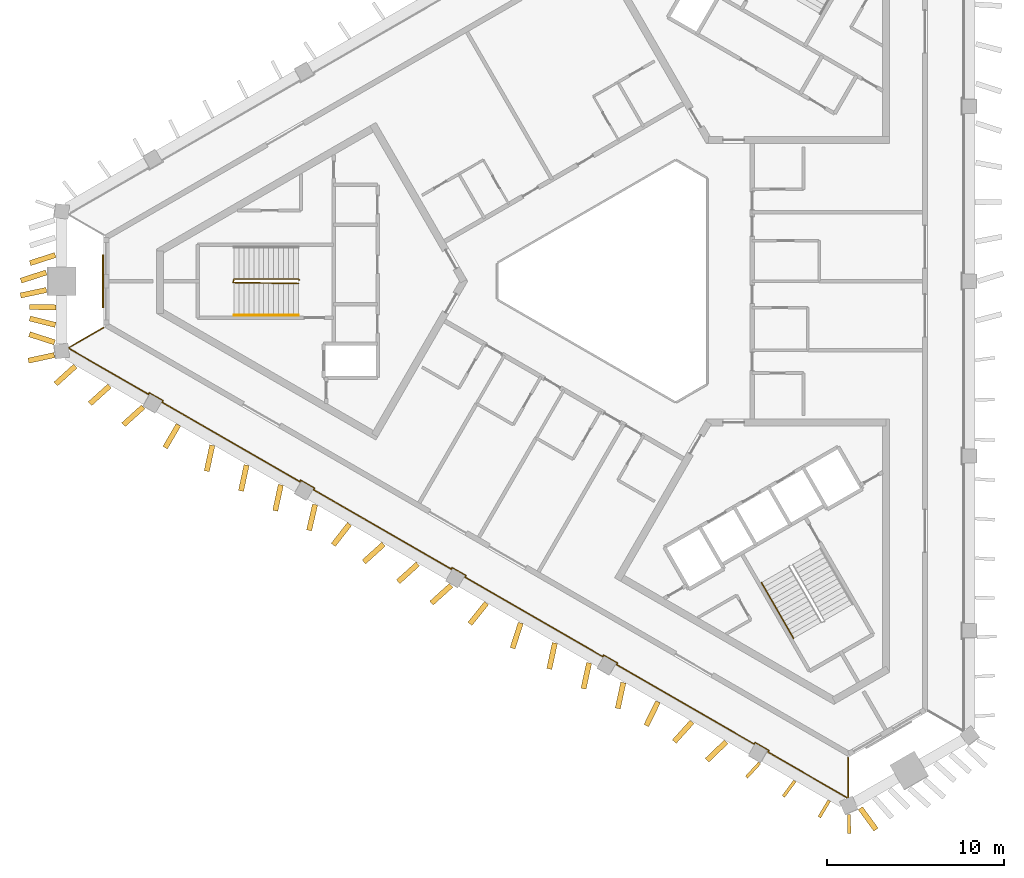
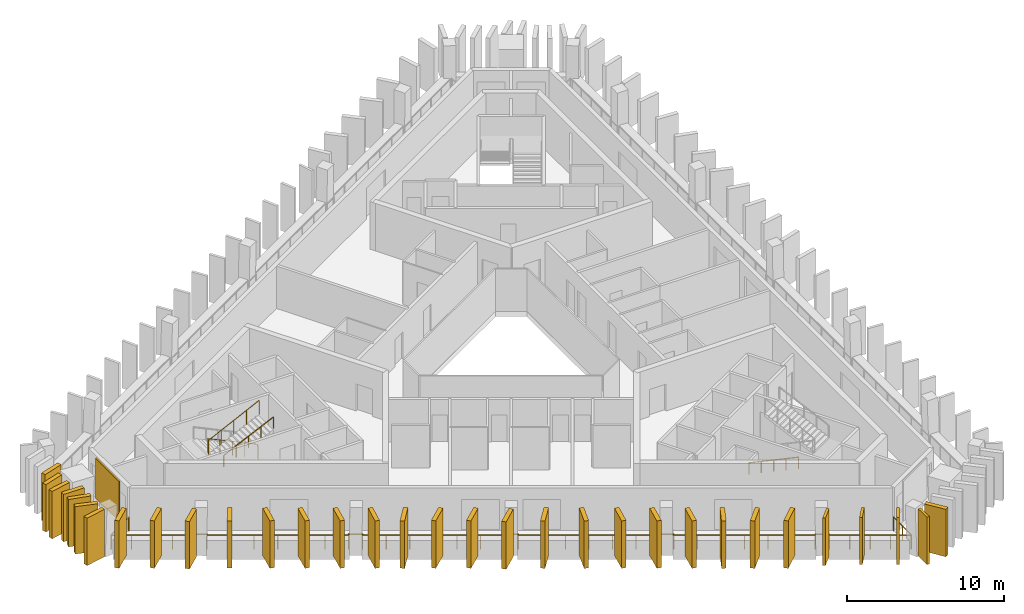
# One storey, part 7 of 9: 32 shading devices, 4 railings, 1 covering.
"""IFC4 building model written with IfcOpenShell, lengths in metres."""

import ifcopenshell
import ifcopenshell.guid

model = None  # the IFC model being written
_history = None  # IfcOwnerHistory: only IFC2X3 demands one
_inside = {}  # id of a spatial element -> (the spatial element, [elements in it])
_under = {}  # id of a project, library or spatial element -> (it, [spatial elements below it])
_declared = {}  # id of a project -> (the project, [libraries it declares])
_typed = {}  # id of a type object -> (the type object, [elements of that type])
_made_of = {}  # id of a material, layer set ... -> (it, [elements and type objects made of it])


def new_model(schema):
    """Start an empty IFC model of exactly this schema.

    Asked for "IFC4X3", IfcOpenShell would pick the latest addendum, in which some entities
    have other attributes; the version numbers below select the first issue.
    IFC2X3 requires an IfcOwnerHistory on every rooted entity: one is made here for all.
    """
    global model, _history
    if schema == "IFC4X3":
        model = ifcopenshell.file(schema_version=(4, 3, 0, 0))
    else:
        model = ifcopenshell.file(schema=schema)
    _inside.clear()
    _under.clear()
    _declared.clear()
    _typed.clear()
    _made_of.clear()
    _history = None
    if model.schema == "IFC2X3":
        org = make("IfcOrganization", Name="unknown")
        user = make(
            "IfcPersonAndOrganization",
            ThePerson=make("IfcPerson", FamilyName="unknown"),
            TheOrganization=org,
        )
        app = make(
            "IfcApplication",
            ApplicationDeveloper=org,
            Version="unknown",
            ApplicationFullName="unknown",
            ApplicationIdentifier="unknown",
        )
        _history = make(
            "IfcOwnerHistory",
            OwningUser=user,
            OwningApplication=app,
            ChangeAction="ADDED",
            CreationDate=0,
        )
    return model


def make(cls, **values):
    """One entity of the class cls with the attributes given. An attribute that is None is left unset."""
    return model.create_entity(
        cls, **{name: value for name, value in values.items() if value is not None}
    )


def rooted(cls, **values):
    """An entity with a GlobalId (a new one), such as an element, a storey or a relation."""
    return make(cls, GlobalId=ifcopenshell.guid.new(), OwnerHistory=_history, **values)


def si_unit(unit_type, name, prefix=None):
    """IfcSIUnit, for example si_unit("LENGTHUNIT", "METRE", prefix="MILLI")."""
    return make("IfcSIUnit", UnitType=unit_type, Prefix=prefix, Name=name)


def assignment(units):
    """IfcUnitAssignment: the units of a project."""
    return None if units is None else make("IfcUnitAssignment", Units=units)


def point(xyz):
    """IfcCartesianPoint."""
    return None if xyz is None else make("IfcCartesianPoint", Coordinates=xyz)


def direction(xyz):
    """IfcDirection."""
    return None if xyz is None else make("IfcDirection", DirectionRatios=xyz)


def frame(location, z_axis=None, x_axis=None):
    """IfcAxis2Placement3D, a coordinate frame: its origin and axes. An axis left out is left unset."""
    return make(
        "IfcAxis2Placement3D",
        Location=point(location),
        Axis=direction(z_axis),
        RefDirection=direction(x_axis),
    )


def frame_2d(location, x_axis=None):
    """IfcAxis2Placement2D, a coordinate frame in the plane: its origin and x axis."""
    return make(
        "IfcAxis2Placement2D", Location=point(location), RefDirection=direction(x_axis)
    )


def origin():
    """The frame at (0, 0, 0) with its axes left unset."""
    return frame((0.0, 0.0, 0.0))


def origin_2d():
    """The frame at (0, 0) in the plane with its x axis left unset."""
    return frame_2d((0.0, 0.0))


def place(relative_to, where):
    """IfcLocalPlacement: puts the frame where relative to a parent placement (None: the world)."""
    return make(
        "IfcLocalPlacement", PlacementRelTo=relative_to, RelativePlacement=where
    )


def context(
    kind, dimensions, precision=None, world=None, true_north=None, identifier=None
):
    """IfcGeometricRepresentationContext, for example the 3D "Model" context."""
    return make(
        "IfcGeometricRepresentationContext",
        ContextIdentifier=identifier,
        ContextType=kind,
        CoordinateSpaceDimension=dimensions,
        Precision=precision,
        WorldCoordinateSystem=world,
        TrueNorth=true_north,
    )


def subcontext(parent, identifier, kind, view, scale=None):
    """IfcGeometricRepresentationSubContext, for example "Body" below "Model"."""
    return make(
        "IfcGeometricRepresentationSubContext",
        ContextIdentifier=identifier,
        ContextType=kind,
        ParentContext=parent,
        TargetScale=scale,
        TargetView=view,
    )


def project(units=None, contexts=None):
    """IfcProject with its units and contexts."""
    return rooted(
        "IfcProject",
        Name="project",
        RepresentationContexts=contexts,
        UnitsInContext=assignment(units),
    )


def spatial(cls, under=None, at=None, **own):
    """A site, building, storey or space (cls), placed at a placement, below another one or the project."""
    s = rooted(cls, ObjectPlacement=at, **own)
    if under is not None:
        _under.setdefault(under.id(), (under, []))[1].append(s)
    return s


def profile(cls, at=None, kind="AREA", **sizes):
    """A parametric profile (cls). Its sizes go by their IFC names, for example OverallWidth=200.0."""
    return make(cls, ProfileType=kind, Position=at, **sizes)


def rectangle(**sizes):
    """IfcRectangleProfileDef."""
    return profile("IfcRectangleProfileDef", **sizes)


def circle(**sizes):
    """IfcCircleProfileDef."""
    return profile("IfcCircleProfileDef", **sizes)


def extrude(swept, where, along, depth):
    """IfcExtrudedAreaSolid: the profile swept, set in the frame where, extruded along a direction by depth."""
    return make(
        "IfcExtrudedAreaSolid",
        SweptArea=swept,
        Position=where,
        ExtrudedDirection=direction(along),
        Depth=depth,
    )


def shape(context_of_items, identifier, shape_type, items):
    """IfcShapeRepresentation: the items that make up one representation, for example the "Body"."""
    return make(
        "IfcShapeRepresentation",
        ContextOfItems=context_of_items,
        RepresentationIdentifier=identifier,
        RepresentationType=shape_type,
        Items=items,
    )


def material(Name=None, Category=None):
    """IfcMaterial."""
    return make("IfcMaterial", Name=Name, Category=Category)


def layer(
    of_material, thickness, ventilated=None, Name=None, Category=None, Priority=None
):
    """IfcMaterialLayer: one layer of a wall or slab, of a material (None: an air gap)."""
    return make(
        "IfcMaterialLayer",
        Material=of_material,
        LayerThickness=thickness,
        IsVentilated=ventilated,
        Name=Name,
        Category=Category,
        Priority=Priority,
    )


def layer_set(layers, Name=None):
    """IfcMaterialLayerSet."""
    return make("IfcMaterialLayerSet", MaterialLayers=layers, LayerSetName=Name)


def made_of(thing, what):
    """Note that an element or type object is made of a material, layer set ...; save() writes the relation."""
    if what is not None:
        _made_of.setdefault(what.id(), (what, []))[1].append(thing)
    return thing


def type_object(cls, material=None, **own):
    """A type object (cls), such as IfcWallType, which elements share."""
    return made_of(rooted(cls, **own), material)


def element(
    cls,
    number,
    at=None,
    inside=None,
    cuts=None,
    type_object=None,
    material=None,
    context=None,
    identifier="Body",
    shape_type=None,
    held_by="IfcProductDefinitionShape",
    body=None,
    shapes=None,
    **own,
):
    """One element of the class cls, such as IfcWall. Its Tag is "e" and its number.

    at: its placement. inside: the storey or other place that contains it. cuts: it is an
    opening in that element (IfcRelVoidsElement). A single representation is given by context,
    identifier, shape_type and body (its items); several are given by shapes. held_by: the class
    of the entity that holds the representations. save() writes the other relations.
    """
    e = rooted(cls, Tag="e%d" % number, ObjectPlacement=at, **own)
    if body is not None:
        shapes = [shape(context, identifier, shape_type, body)]
    if shapes is not None:
        e.Representation = make(held_by, Representations=shapes)
    if inside is not None:
        _inside.setdefault(inside.id(), (inside, []))[1].append(e)
    if cuts is not None:
        rooted(
            "IfcRelVoidsElement", RelatingBuildingElement=cuts, RelatedOpeningElement=e
        )
    if type_object is not None:
        _typed.setdefault(type_object.id(), (type_object, []))[1].append(e)
    return made_of(e, material)


def aggregate(whole, parts):
    """IfcRelAggregates: a whole, such as a stair, and the parts it consists of."""
    return rooted("IfcRelAggregates", RelatingObject=whole, RelatedObjects=parts)


def save(model, path):
    """Write the relations noted so far, then the file.

    IfcRelAggregates (storeys below a building ...), IfcRelContainedInSpatialStructure (elements
    in a storey), IfcRelDefinesByType, IfcRelAssociatesMaterial and IfcRelDeclares: one each for
    every whole, place, type object, material and project.
    """
    for whole, parts in _under.values():
        aggregate(whole, parts)
    for where, things in _inside.values():
        rooted(
            "IfcRelContainedInSpatialStructure",
            RelatedElements=things,
            RelatingStructure=where,
        )
    for kind, things in _typed.values():
        rooted("IfcRelDefinesByType", RelatedObjects=things, RelatingType=kind)
    for what, things in _made_of.values():
        rooted("IfcRelAssociatesMaterial", RelatedObjects=things, RelatingMaterial=what)
    for by, libraries in _declared.values():
        rooted("IfcRelDeclares", RelatingContext=by, RelatedDefinitions=libraries)
    model.write(path)


model = new_model("IFC4")

# Units and contexts
model_context = context("Model", 3, precision=1e-05, world=origin(), true_north=direction((0.0, 1.0)))
body_context = subcontext(model_context, "Body", "Model", "MODEL_VIEW")
ifc_project = project(units=[si_unit("LENGTHUNIT", "METRE"), si_unit("AREAUNIT", "SQUARE_METRE"), si_unit("VOLUMEUNIT", "CUBIC_METRE"), si_unit("PLANEANGLEUNIT", "RADIAN"), si_unit("MASSUNIT", "GRAM", prefix="KILO")], contexts=[model_context])

# Site, building, storey
site_placement = place(None, origin())
site = spatial("IfcSite", under=ifc_project, at=site_placement, CompositionType="ELEMENT")
building_placement = place(site_placement, origin())
building = spatial("IfcBuilding", under=site, at=building_placement, Name="Jabali Bay Hotel Tower and Convention Centre", CompositionType="ELEMENT")
storey_placement = place(building_placement, frame((0.0, 0.0, 259.0)))
storey = spatial("IfcBuildingStorey", under=building, at=storey_placement, Name="L63", CompositionType="ELEMENT", Elevation=259.0)

# Railing
ifc_material_1 = material(Name="Glass", Category="glass")
railing_type_1 = type_object("IfcRailingType", Name="Loggia glass guard 1100", PredefinedType="BALUSTRADE", material=ifc_material_1)
railing_1_placement = place(storey_placement, frame((87.527099609375, 53.048828125, 0.0)))
element("IfcRailing", 1, at=railing_1_placement, inside=storey, type_object=railing_type_1, Name="Loggia glass guard L63", PredefinedType="BALUSTRADE", context=body_context, shape_type="SweptSolid", body=[
    extrude(circle(Radius=0.02490234375, at=origin_2d()), frame((0.0, 0.0, 1.0751953125), z_axis=(0.0, -1.0, 0.0), x_axis=(0.991444861374, 0.0, 0.13052619222)), (0.0, 0.0, 1.0), 2.27490234375),
    extrude(circle(Radius=0.02490234375, at=origin_2d()), frame((0.0, -2.27490234375, 1.0751953125), z_axis=(-0.922495174035, -0.386008618922, 0.0), x_axis=(0.382706261677, -0.914603099939, 0.13052619222)), (0.0, 0.0, 1.0), 0.037353515625),
    extrude(circle(Radius=0.02490234375, at=origin_2d()), frame((-0.034423828125, -2.289306640625, 1.0751953125), z_axis=(-0.866036069923, 0.499981525251, 0.0), x_axis=(-0.495704113992, -0.858627011289, 0.13052619222)), (0.0, 0.0, 1.0), 5.193603515625),
    extrude(circle(Radius=0.02490234375, at=origin_2d()), frame((-4.5322265625, 0.307373046875, 1.0751953125), z_axis=(0.500074377092, 0.865982457891, 0.0), x_axis=(-0.858573857916, 0.495796171473, 0.13052619222)), (0.0, 0.0, 1.0), 0.10009765625),
    extrude(circle(Radius=0.02490234375, at=origin_2d()), frame((-4.482177734375, 0.39404296875, 1.0751953125), z_axis=(-0.866081705922, 0.499902469156, 0.0), x_axis=(-0.495625734232, -0.858672256866, 0.13052619222)), (0.0, 0.0, 1.0), 0.900146484375),
    extrude(circle(Radius=0.02490234375, at=origin_2d()), frame((-5.26171875, 0.843994140625, 1.0751953125), z_axis=(-0.4982416694, -0.867038199201, 0.0), x_axis=(0.859620567213, -0.493979142849, 0.13052619222)), (0.0, 0.0, 1.0), 0.099853515625),
    extrude(circle(Radius=0.02490234375, at=origin_2d()), frame((-5.3115234375, 0.75732421875, 1.0751953125), z_axis=(-0.866023828167, 0.500002729039, 0.0), x_axis=(-0.495725136379, -0.858614874264, 0.13052619222)), (0.0, 0.0, 1.0), 8.998046875),
    extrude(circle(Radius=0.02490234375, at=origin_2d()), frame((-13.10400390625, 5.25634765625, 1.0751953125), z_axis=(0.500074377092, 0.865982457891, 0.0), x_axis=(-0.858573857916, 0.495796171473, 0.13052619222)), (0.0, 0.0, 1.0), 0.10009765625),
    extrude(circle(Radius=0.02490234375, at=origin_2d()), frame((-13.053955078125, 5.343017578125, 1.0751953125), z_axis=(-0.866081705922, 0.499902469156, 0.0), x_axis=(-0.495625734232, -0.858672256866, 0.13052619222)), (0.0, 0.0, 1.0), 0.900146484375),
    extrude(circle(Radius=0.02490234375, at=origin_2d()), frame((-13.83349609375, 5.79296875, 1.0751953125), z_axis=(-0.4982416694, -0.867038199201, 0.0), x_axis=(0.859620567213, -0.493979142849, 0.13052619222)), (0.0, 0.0, 1.0), 0.099853515625),
    extrude(circle(Radius=0.02490234375, at=origin_2d()), frame((-13.88330078125, 5.706298828125, 1.0751953125), z_axis=(-0.866023828167, 0.500002729039, 0.0), x_axis=(-0.495725136379, -0.858614874264, 0.13052619222)), (0.0, 0.0, 1.0), 8.998046875),
    extrude(circle(Radius=0.02490234375, at=origin_2d()), frame((-21.67578125, 10.205322265625, 1.0751953125), z_axis=(0.501132629342, 0.865370491644, 0.0), x_axis=(-0.857967127125, 0.496845370228, 0.13052619222)), (0.0, 0.0, 1.0), 0.099853515625),
    extrude(circle(Radius=0.02490234375, at=origin_2d()), frame((-21.625732421875, 10.291748046875, 1.0751953125), z_axis=(-0.865964261186, 0.500105887137, 0.0), x_axis=(-0.495827411944, -0.858555816886, 0.13052619222)), (0.0, 0.0, 1.0), 0.900146484375),
    extrude(circle(Radius=0.02490234375, at=origin_2d()), frame((-22.4052734375, 10.741943359375, 1.0751953125), z_axis=(-0.4982416694, -0.867038199201, 0.0), x_axis=(0.859620567213, -0.493979142849, 0.13052619222)), (0.0, 0.0, 1.0), 0.099853515625),
    extrude(circle(Radius=0.02490234375, at=origin_2d()), frame((-22.455078125, 10.6552734375, 1.0751953125), z_axis=(-0.866035576965, 0.49998237912, 0.0), x_axis=(-0.495704960556, -0.858626522549, 0.13052619222)), (0.0, 0.0, 1.0), 8.997802734375),
    extrude(circle(Radius=0.02490234375, at=origin_2d()), frame((-30.24755859375, 15.154052734375, 1.0751953125), z_axis=(0.500074377092, 0.865982457891, 0.0), x_axis=(-0.858573857916, 0.495796171473, 0.13052619222)), (0.0, 0.0, 1.0), 0.10009765625),
    extrude(circle(Radius=0.02490234375, at=origin_2d()), frame((-30.197509765625, 15.24072265625, 1.0751953125), z_axis=(-0.866081705922, 0.499902469156, 0.0), x_axis=(-0.495625734232, -0.858672256866, 0.13052619222)), (0.0, 0.0, 1.0), 0.900146484375),
    extrude(circle(Radius=0.02490234375, at=origin_2d()), frame((-30.97705078125, 15.690673828125, 1.0751953125), z_axis=(-0.499298623879, -0.866429964967, 0.0), x_axis=(0.859017536507, -0.495027054936, 0.13052619222)), (0.0, 0.0, 1.0), 0.099853515625),
    extrude(circle(Radius=0.02490234375, at=origin_2d()), frame((-31.02685546875, 15.604248046875, 1.0751953125), z_axis=(-0.866035576965, 0.49998237912, 0.0), x_axis=(-0.495704960556, -0.858626522549, 0.13052619222)), (0.0, 0.0, 1.0), 8.997802734375),
    extrude(circle(Radius=0.02490234375, at=origin_2d()), frame((-38.8193359375, 20.10302734375, 1.0751953125), z_axis=(0.500074377092, 0.865982457891, 0.0), x_axis=(-0.858573857916, 0.495796171473, 0.13052619222)), (0.0, 0.0, 1.0), 0.10009765625),
    extrude(circle(Radius=0.02490234375, at=origin_2d()), frame((-38.769287109375, 20.189697265625, 1.0751953125), z_axis=(-0.866081705922, 0.499902469156, 0.0), x_axis=(-0.495625734232, -0.858672256866, 0.13052619222)), (0.0, 0.0, 1.0), 0.900146484375),
    extrude(circle(Radius=0.02490234375, at=origin_2d()), frame((-39.548828125, 20.6396484375, 1.0751953125), z_axis=(-0.4982416694, -0.867038199201, 0.0), x_axis=(0.859620567213, -0.493979142849, 0.13052619222)), (0.0, 0.0, 1.0), 0.099853515625),
    extrude(circle(Radius=0.02490234375, at=origin_2d()), frame((-39.5986328125, 20.552978515625, 1.0751953125), z_axis=(-0.866027466843, 0.499996426661, 0.0), x_axis=(-0.495718887919, -0.85861848181, 0.13052619222)), (0.0, 0.0, 1.0), 5.19384765625),
    extrude(circle(Radius=0.02490234375, at=origin_2d()), frame((-44.0966796875, 23.14990234375, 1.0751953125), z_axis=(-0.117599343536, 0.993061123194, 0.0), x_axis=(-0.984565347621, -0.11659326485, 0.13052619222)), (0.0, 0.0, 1.0), 0.037353515625),
    extrude(circle(Radius=0.02490234375, at=origin_2d()), frame((-44.10107421875, 23.18701171875, 1.0751953125), z_axis=(0.866008641419, 0.500029032144, 0.0), x_axis=(-0.495751214457, 0.85859981744, 0.13052619222)), (0.0, 0.0, 1.0), 2.274658203125),
    extrude(circle(Radius=0.02001953125, at=origin_2d()), origin(), (0.0, 0.0, 1.0), 1.050048828125),
    extrude(circle(Radius=0.02001953125, at=origin_2d()), frame((0.0, -1.137451171875, 0.0)), (0.0, 0.0, 1.0), 1.050048828125),
    extrude(circle(Radius=0.02001953125, at=origin_2d()), frame((0.0, -2.27490234375, 0.0)), (0.0, 0.0, 1.0), 1.050048828125),
    extrude(circle(Radius=0.02001953125, at=origin_2d()), frame((-0.034423828125, -2.289306640625, 0.0)), (0.0, 0.0, 1.0), 1.050048828125),
    extrude(circle(Radius=0.02001953125, at=origin_2d()), frame((-1.158935546875, -1.64013671875, 0.0)), (0.0, 0.0, 1.0), 1.050048828125),
    extrude(circle(Radius=0.02001953125, at=origin_2d()), frame((-2.283203125, -0.990966796875, 0.0)), (0.0, 0.0, 1.0), 1.050048828125),
    extrude(circle(Radius=0.02001953125, at=origin_2d()), frame((-3.40771484375, -0.341796875, 0.0)), (0.0, 0.0, 1.0), 1.050048828125),
    extrude(circle(Radius=0.02001953125, at=origin_2d()), frame((-4.5322265625, 0.307373046875, 0.0)), (0.0, 0.0, 1.0), 1.050048828125),
    extrude(circle(Radius=0.02001953125, at=origin_2d()), frame((-4.482177734375, 0.39404296875, 0.0)), (0.0, 0.0, 1.0), 1.050048828125),
    extrude(circle(Radius=0.02001953125, at=origin_2d()), frame((-5.26171875, 0.843994140625, 0.0)), (0.0, 0.0, 1.0), 1.050048828125),
    extrude(circle(Radius=0.02001953125, at=origin_2d()), frame((-5.3115234375, 0.75732421875, 0.0)), (0.0, 0.0, 1.0), 1.050048828125),
    extrude(circle(Radius=0.02001953125, at=origin_2d()), frame((-6.6103515625, 1.507080078125, 0.0)), (0.0, 0.0, 1.0), 1.050048828125),
    extrude(circle(Radius=0.02001953125, at=origin_2d()), frame((-7.908935546875, 2.257080078125, 0.0)), (0.0, 0.0, 1.0), 1.050048828125),
    extrude(circle(Radius=0.02001953125, at=origin_2d()), frame((-9.207763671875, 3.0068359375, 0.0)), (0.0, 0.0, 1.0), 1.050048828125),
    extrude(circle(Radius=0.02001953125, at=origin_2d()), frame((-10.506591796875, 3.756591796875, 0.0)), (0.0, 0.0, 1.0), 1.050048828125),
    extrude(circle(Radius=0.02001953125, at=origin_2d()), frame((-11.80517578125, 4.506591796875, 0.0)), (0.0, 0.0, 1.0), 1.050048828125),
    extrude(circle(Radius=0.02001953125, at=origin_2d()), frame((-13.10400390625, 5.25634765625, 0.0)), (0.0, 0.0, 1.0), 1.050048828125),
    extrude(circle(Radius=0.02001953125, at=origin_2d()), frame((-13.053955078125, 5.343017578125, 0.0)), (0.0, 0.0, 1.0), 1.050048828125),
    extrude(circle(Radius=0.02001953125, at=origin_2d()), frame((-13.83349609375, 5.79296875, 0.0)), (0.0, 0.0, 1.0), 1.050048828125),
    extrude(circle(Radius=0.02001953125, at=origin_2d()), frame((-13.88330078125, 5.706298828125, 0.0)), (0.0, 0.0, 1.0), 1.050048828125),
    extrude(circle(Radius=0.02001953125, at=origin_2d()), frame((-15.18212890625, 6.4560546875, 0.0)), (0.0, 0.0, 1.0), 1.050048828125),
    extrude(circle(Radius=0.02001953125, at=origin_2d()), frame((-16.480712890625, 7.2060546875, 0.0)), (0.0, 0.0, 1.0), 1.050048828125),
    extrude(circle(Radius=0.02001953125, at=origin_2d()), frame((-17.779541015625, 7.955810546875, 0.0)), (0.0, 0.0, 1.0), 1.050048828125),
    extrude(circle(Radius=0.02001953125, at=origin_2d()), frame((-19.078369140625, 8.70556640625, 0.0)), (0.0, 0.0, 1.0), 1.050048828125),
    extrude(circle(Radius=0.02001953125, at=origin_2d()), frame((-20.376953125, 9.45556640625, 0.0)), (0.0, 0.0, 1.0), 1.050048828125),
    extrude(circle(Radius=0.02001953125, at=origin_2d()), frame((-21.67578125, 10.205322265625, 0.0)), (0.0, 0.0, 1.0), 1.050048828125),
    extrude(circle(Radius=0.02001953125, at=origin_2d()), frame((-21.625732421875, 10.291748046875, 0.0)), (0.0, 0.0, 1.0), 1.050048828125),
    extrude(circle(Radius=0.02001953125, at=origin_2d()), frame((-22.4052734375, 10.741943359375, 0.0)), (0.0, 0.0, 1.0), 1.050048828125),
    extrude(circle(Radius=0.02001953125, at=origin_2d()), frame((-22.455078125, 10.6552734375, 0.0)), (0.0, 0.0, 1.0), 1.050048828125),
    extrude(circle(Radius=0.02001953125, at=origin_2d()), frame((-23.75390625, 11.405029296875, 0.0)), (0.0, 0.0, 1.0), 1.050048828125),
    extrude(circle(Radius=0.02001953125, at=origin_2d()), frame((-25.052490234375, 12.15478515625, 0.0)), (0.0, 0.0, 1.0), 1.050048828125),
    extrude(circle(Radius=0.02001953125, at=origin_2d()), frame((-26.351318359375, 12.90478515625, 0.0)), (0.0, 0.0, 1.0), 1.050048828125),
    extrude(circle(Radius=0.02001953125, at=origin_2d()), frame((-27.650146484375, 13.654541015625, 0.0)), (0.0, 0.0, 1.0), 1.050048828125),
    extrude(circle(Radius=0.02001953125, at=origin_2d()), frame((-28.94873046875, 14.404296875, 0.0)), (0.0, 0.0, 1.0), 1.050048828125),
    extrude(circle(Radius=0.02001953125, at=origin_2d()), frame((-30.24755859375, 15.154052734375, 0.0)), (0.0, 0.0, 1.0), 1.050048828125),
    extrude(circle(Radius=0.02001953125, at=origin_2d()), frame((-30.197509765625, 15.24072265625, 0.0)), (0.0, 0.0, 1.0), 1.050048828125),
    extrude(circle(Radius=0.02001953125, at=origin_2d()), frame((-30.97705078125, 15.690673828125, 0.0)), (0.0, 0.0, 1.0), 1.050048828125),
    extrude(circle(Radius=0.02001953125, at=origin_2d()), frame((-31.02685546875, 15.604248046875, 0.0)), (0.0, 0.0, 1.0), 1.050048828125),
    extrude(circle(Radius=0.02001953125, at=origin_2d()), frame((-32.32568359375, 16.35400390625, 0.0)), (0.0, 0.0, 1.0), 1.050048828125),
    extrude(circle(Radius=0.02001953125, at=origin_2d()), frame((-33.624267578125, 17.103759765625, 0.0)), (0.0, 0.0, 1.0), 1.050048828125),
    extrude(circle(Radius=0.02001953125, at=origin_2d()), frame((-34.923095703125, 17.853515625, 0.0)), (0.0, 0.0, 1.0), 1.050048828125),
    extrude(circle(Radius=0.02001953125, at=origin_2d()), frame((-36.221923828125, 18.603515625, 0.0)), (0.0, 0.0, 1.0), 1.050048828125),
    extrude(circle(Radius=0.02001953125, at=origin_2d()), frame((-37.5205078125, 19.353271484375, 0.0)), (0.0, 0.0, 1.0), 1.050048828125),
    extrude(circle(Radius=0.02001953125, at=origin_2d()), frame((-38.8193359375, 20.10302734375, 0.0)), (0.0, 0.0, 1.0), 1.050048828125),
    extrude(circle(Radius=0.02001953125, at=origin_2d()), frame((-38.769287109375, 20.189697265625, 0.0)), (0.0, 0.0, 1.0), 1.050048828125),
    extrude(circle(Radius=0.02001953125, at=origin_2d()), frame((-39.548828125, 20.6396484375, 0.0)), (0.0, 0.0, 1.0), 1.050048828125),
    extrude(circle(Radius=0.02001953125, at=origin_2d()), frame((-39.5986328125, 20.552978515625, 0.0)), (0.0, 0.0, 1.0), 1.050048828125),
    extrude(circle(Radius=0.02001953125, at=origin_2d()), frame((-40.72314453125, 21.2021484375, 0.0)), (0.0, 0.0, 1.0), 1.050048828125),
    extrude(circle(Radius=0.02001953125, at=origin_2d()), frame((-41.84765625, 21.8515625, 0.0)), (0.0, 0.0, 1.0), 1.050048828125),
    extrude(circle(Radius=0.02001953125, at=origin_2d()), frame((-42.97216796875, 22.500732421875, 0.0)), (0.0, 0.0, 1.0), 1.050048828125),
    extrude(circle(Radius=0.02001953125, at=origin_2d()), frame((-44.0966796875, 23.14990234375, 0.0)), (0.0, 0.0, 1.0), 1.050048828125),
    extrude(circle(Radius=0.02001953125, at=origin_2d()), frame((-44.10107421875, 23.18701171875, 0.0)), (0.0, 0.0, 1.0), 1.050048828125),
    extrude(circle(Radius=0.02001953125, at=origin_2d()), frame((-43.1162109375, 23.755859375, 0.0)), (0.0, 0.0, 1.0), 1.050048828125),
    extrude(circle(Radius=0.02001953125, at=origin_2d()), frame((-42.131103515625, 24.324462890625, 0.0)), (0.0, 0.0, 1.0), 1.050048828125),
])

# Shading devices
ifc_material_2 = material(Name="Precast concrete C60", Category="concrete")
ifc_layer_1 = layer(ifc_material_2, 0.179931640625)
ifc_layer_set_1 = layer_set([ifc_layer_1], Name="Precast concrete C60")
shading_device_type_1 = type_object("IfcShadingDeviceType", Name="Precast fin 3680 x 1100", PredefinedType="USERDEFINED", material=ifc_layer_set_1)
for number, where, z_axis, x_axis, name in (
    (2, (82.521728515625, 52.740966796875, 0.010009765625), (0.0, 0.0, 1.0), (-0.675463244485, -0.737393656977, 0.0), "Fin L63 082"),
    (3, (84.518310546875, 51.722900390625, 0.010009765625), (0.0, 0.0, 1.0), (-0.596834690379, -0.802364226745, 0.0), "Fin L63 083"),
    (4, (86.461181640625, 50.611572265625, 0.010009765625), (0.0, 0.0, 1.0), (-0.513156878811, -0.858294831471, 0.0), "Fin L63 084"),
    (5, (87.5771484375, 49.83544921875, 0.010009765625), (0.0, 0.0, 1.0), (0.014426911262, -0.9998959267, 0.0), "Fin L63 098"),
):
    element("IfcShadingDevice", number, at=place(storey_placement, frame(where, z_axis=z_axis, x_axis=x_axis)), inside=storey, type_object=shading_device_type_1, Name=name, ObjectType="FIN", PredefinedType="USERDEFINED", context=body_context, shape_type="SweptSolid", body=[
        extrude(rectangle(XDim=1.099853515625, YDim=0.179931640625, at=frame_2d((0.5498046875, 0.0))), origin(), (0.0, 0.0, 1.0), 3.679931640625),
    ])
ifc_layer_2 = layer(ifc_material_2, 0.300048828125)
ifc_layer_set_2 = layer_set([ifc_layer_2], Name="Precast concrete C60")
shading_device_type_2 = type_object("IfcShadingDeviceType", Name="Precast fin 3680 x 1500", PredefinedType="USERDEFINED", material=ifc_layer_set_2)
for number, where, z_axis, x_axis, name in (
    (6, (42.663330078125, 81.48291015625, 0.010009765625), (0.0, 0.0, 1.0), (-0.951777621698, -0.30678878538, 0.0), "Fin L63 056"),
    (7, (42.150634765625, 80.494384765625, 0.010009765625), (0.0, 0.0, 1.0), (-0.951777621698, -0.30678878538, 0.0), "Fin L63 057"),
):
    element("IfcShadingDevice", number, at=place(storey_placement, frame(where, z_axis=z_axis, x_axis=x_axis)), inside=storey, type_object=shading_device_type_2, Name=name, ObjectType="FIN", PredefinedType="USERDEFINED", context=body_context, shape_type="SweptSolid", body=[
        extrude(rectangle(XDim=1.5, YDim=0.300048828125, at=frame_2d((0.75, 0.0))), origin(), (0.0, 0.0, 1.0), 3.679931640625),
    ])
for number, where, z_axis, x_axis, name in (
    (8, (42.165283203125, 79.505615234375, 0.010009765625), (0.0, 0.0, 1.0), (-0.978155954869, -0.207872383819, 0.0), "Fin L63 058"),
    (9, (42.706298828125, 78.51708984375, 0.010009765625), (0.0, 0.0, 1.0), (-0.999818613931, 0.019045714398, 0.0), "Fin L63 059"),
):
    element("IfcShadingDevice", number, at=place(storey_placement, frame(where, z_axis=z_axis, x_axis=x_axis)), inside=storey, type_object=shading_device_type_2, Name=name, ObjectType="FIN", PredefinedType="USERDEFINED", context=body_context, shape_type="SweptSolid", body=[
        extrude(rectangle(XDim=1.499755859375, YDim=0.300048828125, at=frame_2d((0.75, 0.0))), origin(), (0.0, 0.0, 1.0), 3.679931640625),
    ])
for number, where, z_axis, x_axis, name in (
    (10, (42.673095703125, 77.5283203125, 0.010009765625), (0.0, 0.0, 1.0), (-0.970314578637, 0.241846270355, 0.0), "Fin L63 060"),
    (11, (42.625732421875, 76.539794921875, 0.010009765625), (0.0, 0.0, 1.0), (-0.951777621698, 0.30678878538, 0.0), "Fin L63 061"),
):
    element("IfcShadingDevice", number, at=place(storey_placement, frame(where, z_axis=z_axis, x_axis=x_axis)), inside=storey, type_object=shading_device_type_2, Name=name, ObjectType="FIN", PredefinedType="USERDEFINED", context=body_context, shape_type="SweptSolid", body=[
        extrude(rectangle(XDim=1.5, YDim=0.300048828125, at=frame_2d((0.75, 0.0))), origin(), (0.0, 0.0, 1.0), 3.679931640625),
    ])
shading_device_1_placement = place(storey_placement, frame((43.796142578125, 75.19287109375, 0.010009765625), z_axis=(0.0, 0.0, 1.0), x_axis=(-0.741308257296, -0.671164709789, 0.0)))
element("IfcShadingDevice", 12, at=shading_device_1_placement, inside=storey, type_object=shading_device_type_2, Name="Fin L63 062", ObjectType="FIN", PredefinedType="USERDEFINED", context=body_context, shape_type="SweptSolid", body=[
    extrude(rectangle(XDim=1.500244140625, YDim=0.300048828125, at=frame_2d((0.75, 0.0))), origin(), (0.0, 0.0, 1.0), 3.679931640625),
])
for number, where, z_axis, x_axis, name in (
    (13, (45.734375, 74.07373046875, 0.010009765625), (0.0, 0.0, 1.0), (-0.741543490988, -0.670904800231, 0.0), "Fin L63 063"),
    (14, (47.633544921875, 72.886962890625, 0.010009765625), (0.0, 0.0, 1.0), (-0.741543490988, -0.670904800231, 0.0), "Fin L63 064"),
):
    element("IfcShadingDevice", number, at=place(storey_placement, frame(where, z_axis=z_axis, x_axis=x_axis)), inside=storey, type_object=shading_device_type_2, Name=name, ObjectType="FIN", PredefinedType="USERDEFINED", context=body_context, shape_type="SweptSolid", body=[
        extrude(rectangle(XDim=1.5, YDim=0.300048828125, at=frame_2d((0.75, 0.0))), origin(), (0.0, 0.0, 1.0), 3.679931640625),
    ])
shading_device_2_placement = place(storey_placement, frame((49.633544921875, 71.874755859375, 0.010009765625), z_axis=(0.0, 0.0, 1.0), x_axis=(-0.503466138706, -0.864014957727, 0.0)))
element("IfcShadingDevice", 15, at=shading_device_2_placement, inside=storey, type_object=shading_device_type_2, Name="Fin L63 065", ObjectType="FIN", PredefinedType="USERDEFINED", context=body_context, shape_type="SweptSolid", body=[
    extrude(rectangle(XDim=1.499755859375, YDim=0.300048828125, at=frame_2d((0.75, 0.0))), origin(), (0.0, 0.0, 1.0), 3.679931640625),
])
for number, where, z_axis, x_axis, name in (
    (16, (51.54931640625, 70.716552734375, 0.010009765625), (0.0, 0.0, 1.0), (-0.210273710971, -0.977642555577, 0.0), "Fin L63 066"),
    (17, (53.487548828125, 69.597412109375, 0.010009765625), (0.0, 0.0, 1.0), (-0.210273710971, -0.977642555577, 0.0), "Fin L63 067"),
    (18, (55.42578125, 68.478271484375, 0.010009765625), (0.0, 0.0, 1.0), (-0.210118148459, -0.977676001387, 0.0), "Fin L63 068"),
    (19, (57.365234375, 67.361083984375, 0.010009765625), (0.0, 0.0, 1.0), (-0.225917344427, -0.974146474349, 0.0), "Fin L63 069"),
    (20, (59.315185546875, 66.26220703125, 0.010009765625), (0.0, 0.0, 1.0), (-0.613816648112, -0.789448619291, 0.0), "Fin L63 070"),
    (21, (61.24072265625, 65.12109375, 0.010009765625), (0.0, 0.0, 1.0), (-0.741543490988, -0.670904800231, 0.0), "Fin L63 071"),
):
    element("IfcShadingDevice", number, at=place(storey_placement, frame(where, z_axis=z_axis, x_axis=x_axis)), inside=storey, type_object=shading_device_type_2, Name=name, ObjectType="FIN", PredefinedType="USERDEFINED", context=body_context, shape_type="SweptSolid", body=[
        extrude(rectangle(XDim=1.5, YDim=0.300048828125, at=frame_2d((0.75, 0.0))), origin(), (0.0, 0.0, 1.0), 3.679931640625),
    ])
shading_device_3_placement = place(storey_placement, frame((63.17919921875, 64.001953125, 0.010009765625), z_axis=(0.0, 0.0, 1.0), x_axis=(-0.741616739041, -0.670823831101, 0.0)))
element("IfcShadingDevice", 22, at=shading_device_3_placement, inside=storey, type_object=shading_device_type_2, Name="Fin L63 072", ObjectType="FIN", PredefinedType="USERDEFINED", context=body_context, shape_type="SweptSolid", body=[
    extrude(rectangle(XDim=1.500244140625, YDim=0.300048828125, at=frame_2d((0.75, 0.0))), origin(), (0.0, 0.0, 1.0), 3.679931640625),
])
for number, where, z_axis, x_axis, name in (
    (23, (65.063720703125, 62.789794921875, 0.010009765625), (0.0, 0.0, 1.0), (-0.741543490988, -0.670904800231, 0.0), "Fin L63 073"),
    (24, (67.067138671875, 61.78369140625, 0.010009765625), (0.0, 0.0, 1.0), (-0.626638328018, -0.779310211571, 0.0), "Fin L63 074"),
    (25, (69.001220703125, 60.6572265625, 0.010009765625), (0.0, 0.0, 1.0), (-0.307131176258, -0.951667190025, 0.0), "Fin L63 075"),
    (26, (70.932373046875, 59.525634765625, 0.010009765625), (0.0, 0.0, 1.0), (-0.210273710971, -0.977642555577, 0.0), "Fin L63 076"),
):
    element("IfcShadingDevice", number, at=place(storey_placement, frame(where, z_axis=z_axis, x_axis=x_axis)), inside=storey, type_object=shading_device_type_2, Name=name, ObjectType="FIN", PredefinedType="USERDEFINED", context=body_context, shape_type="SweptSolid", body=[
        extrude(rectangle(XDim=1.5, YDim=0.300048828125, at=frame_2d((0.75, 0.0))), origin(), (0.0, 0.0, 1.0), 3.679931640625),
    ])
shading_device_4_placement = place(storey_placement, frame((72.87060546875, 58.406494140625, 0.010009765625), z_axis=(0.0, 0.0, 1.0), x_axis=(-0.210307173215, -0.977635357838, 0.0)))
element("IfcShadingDevice", 27, at=shading_device_4_placement, inside=storey, type_object=shading_device_type_2, Name="Fin L63 077", ObjectType="FIN", PredefinedType="USERDEFINED", context=body_context, shape_type="SweptSolid", body=[
    extrude(rectangle(XDim=1.499755859375, YDim=0.300048828125, at=frame_2d((0.75, 0.0))), origin(), (0.0, 0.0, 1.0), 3.679931640625),
])
shading_device_5_placement = place(storey_placement, frame((74.80908203125, 57.28759765625, 0.010009765625), z_axis=(0.0, 0.0, 1.0), x_axis=(-0.210584788077, -0.977575596581, 0.0)))
element("IfcShadingDevice", 28, at=shading_device_5_placement, inside=storey, type_object=shading_device_type_2, Name="Fin L63 078", ObjectType="FIN", PredefinedType="USERDEFINED", context=body_context, shape_type="SweptSolid", body=[
    extrude(rectangle(XDim=1.500244140625, YDim=0.300048828125, at=frame_2d((0.75, 0.0))), origin(), (0.0, 0.0, 1.0), 3.679931640625),
])
for number, where, z_axis, x_axis, name in (
    (29, (76.76513671875, 56.19921875, 0.010009765625), (0.0, 0.0, 1.0), (-0.438468524683, -0.898746545397, 0.0), "Fin L63 079"),
    (30, (78.693115234375, 55.06201171875, 0.010009765625), (0.0, 0.0, 1.0), (-0.66927940577, -0.743010818906, 0.0), "Fin L63 080"),
    (31, (80.6259765625, 53.933837890625, 0.010009765625), (0.0, 0.0, 1.0), (-0.722001756006, -0.691891222899, 0.0), "Fin L63 081"),
):
    element("IfcShadingDevice", number, at=place(storey_placement, frame(where, z_axis=z_axis, x_axis=x_axis)), inside=storey, type_object=shading_device_type_2, Name=name, ObjectType="FIN", PredefinedType="USERDEFINED", context=body_context, shape_type="SweptSolid", body=[
        extrude(rectangle(XDim=1.5, YDim=0.300048828125, at=frame_2d((0.75, 0.0))), origin(), (0.0, 0.0, 1.0), 3.679931640625),
    ])
shading_device_6_placement = place(storey_placement, frame((88.22021484375, 50.181396484375, 0.010009765625), z_axis=(0.0, 0.0, 1.0), x_axis=(0.590085950663, -0.807340430568, 0.0)))
element("IfcShadingDevice", 32, at=shading_device_6_placement, inside=storey, type_object=shading_device_type_2, Name="Fin L63 085", ObjectType="FIN", PredefinedType="USERDEFINED", context=body_context, shape_type="SweptSolid", body=[
    extrude(rectangle(XDim=1.500244140625, YDim=0.300048828125, at=frame_2d((0.75, 0.0))), origin(), (0.0, 0.0, 1.0), 3.679931640625),
])
shading_device_7_placement = place(storey_placement, frame((42.607421875, 75.821044921875, 0.010009765625), z_axis=(0.0, 0.0, 1.0), x_axis=(-0.977460486648, -0.211118443161, 0.0)))
element("IfcShadingDevice", 33, at=shading_device_7_placement, inside=storey, type_object=shading_device_type_2, Name="Fin L63 097", ObjectType="FIN", PredefinedType="USERDEFINED", context=body_context, shape_type="SweptSolid", body=[
    extrude(rectangle(XDim=1.499755859375, YDim=0.300048828125, at=frame_2d((0.75, 0.0))), origin(), (0.0, 0.0, 1.0), 3.679931640625),
])

# Covering
ifc_material_3 = material(Name="Precast concrete C40/50", Category="concrete")
ifc_layer_3 = layer(ifc_material_3, 0.080078125)
ifc_layer_set_3 = layer_set([ifc_layer_3], Name="Precast concrete C40/50")
covering_type = type_object("IfcCoveringType", Name="Relief panel 3000 x 3100", PredefinedType="CLADDING", material=ifc_layer_set_3)
covering_placement = place(storey_placement, frame((45.35595703125, 80.0, 0.099853515625), z_axis=(0.0, 0.0, 1.0), x_axis=(0.0, 1.0, 0.0)))
element("IfcCovering", 34, at=covering_placement, inside=storey, type_object=covering_type, Name="Relief panel L63", PredefinedType="CLADDING", context=body_context, shape_type="SweptSolid", body=[
    extrude(rectangle(XDim=3.0, YDim=0.080078125, at=origin_2d()), origin(), (0.0, 0.0, 1.0), 3.10009765625),
])

# Railings
ifc_material_4 = material(Name="Steel Q355B", Category="steel")
railing_type_2 = type_object("IfcRailingType", Name="Stair guard 1100", PredefinedType="GUARDRAIL", material=ifc_material_4)
railing_2_placement = place(storey_placement, frame((56.469970703125, 80.074951171875, 0.0)))
element("IfcRailing", 35, at=railing_2_placement, inside=storey, type_object=railing_type_2, Name="L63 ST1 stair guard 1", PredefinedType="GUARDRAIL", context=body_context, shape_type="SweptSolid", body=[
    extrude(circle(Radius=0.02392578125, at=origin_2d()), frame((0.0, 0.0, 1.076171875), z_axis=(-0.333993628408, 0.333993628408, 0.881417331555), x_axis=(-0.707106781187, -0.707106781187, 0.0)), (0.0, 0.0, 1.0), 0.14990234375),
    extrude(circle(Radius=0.02392578125, at=origin_2d()), frame((-0.050048828125, 0.050048828125, 1.2080078125), z_axis=(-0.904327350853, 0.0, 0.426839598092), x_axis=(0.0, -1.0, 0.0)), (0.0, 0.0, 1.0), 4.02490234375),
    extrude(circle(Radius=0.02392578125, at=origin_2d()), frame((-3.68994140625, 0.050048828125, 2.92626953125), z_axis=(-0.242814311512, -0.970072785993, 0.0), x_axis=(0.970072785993, -0.242814311512, 0.0)), (0.0, 0.0, 1.0), 0.2060546875),
    extrude(circle(Radius=0.02392578125, at=origin_2d()), frame((-3.739990234375, -0.14990234375, 2.92626953125), z_axis=(0.893887803671, -0.012124321804, 0.4481267625), x_axis=(0.013562335953, 0.999908027292, 0.0)), (0.0, 0.0, 1.0), 4.1279296875),
    extrude(circle(Radius=0.02099609375, at=origin_2d()), origin(), (0.0, 0.0, 1.0), 1.052001953125),
    extrude(circle(Radius=0.02099609375, at=origin_2d()), frame((-0.050048828125, 0.050048828125, 0.132080078125)), (0.0, 0.0, 1.0), 1.052001953125),
    extrude(circle(Radius=0.02099609375, at=origin_2d()), frame((-0.9599609375, 0.050048828125, 0.5615234375)), (0.0, 0.0, 1.0), 1.052001953125),
    extrude(circle(Radius=0.02099609375, at=origin_2d()), frame((-1.8701171875, 0.050048828125, 0.9912109375)), (0.0, 0.0, 1.0), 1.052001953125),
    extrude(circle(Radius=0.02099609375, at=origin_2d()), frame((-2.780029296875, 0.050048828125, 1.420654296875)), (0.0, 0.0, 1.0), 1.052001953125),
    extrude(circle(Radius=0.02099609375, at=origin_2d()), frame((-3.68994140625, 0.050048828125, 1.85009765625)), (0.0, 0.0, 1.0), 1.052001953125),
    extrude(circle(Radius=0.02099609375, at=origin_2d()), frame((-3.739990234375, -0.14990234375, 1.85009765625)), (0.0, 0.0, 1.0), 1.052001953125),
    extrude(circle(Radius=0.02099609375, at=origin_2d()), frame((-2.8173828125, -0.162353515625, 2.3125)), (0.0, 0.0, 1.0), 1.052001953125),
    extrude(circle(Radius=0.02099609375, at=origin_2d()), frame((-1.89501953125, -0.1748046875, 2.77490234375)), (0.0, 0.0, 1.0), 1.052001953125),
    extrude(circle(Radius=0.02099609375, at=origin_2d()), frame((-0.97265625, -0.1875, 3.237548828125)), (0.0, 0.0, 1.0), 1.052001953125),
    extrude(circle(Radius=0.02099609375, at=origin_2d()), frame((-0.050048828125, -0.199951171875, 3.699951171875)), (0.0, 0.0, 1.0), 1.052001953125),
])
railing_type_3 = type_object("IfcRailingType", Name="Stair handrail 900", PredefinedType="HANDRAIL", material=ifc_material_4)
railing_3_placement = place(storey_placement, frame((52.780029296875, 78.074951171875, 1.982177734375)))
element("IfcRailing", 36, at=railing_3_placement, inside=storey, type_object=railing_type_3, Name="L63 ST1 stair handrail 2", PredefinedType="HANDRAIL", context=body_context, shape_type="SweptSolid", body=[
    extrude(circle(Radius=0.02392578125, at=origin_2d()), frame((0.0, 0.0, 0.8759765625), z_axis=(0.904350763662, 0.0, 0.426789990819), x_axis=(0.0, 1.0, 0.0)), (0.0, 0.0, 1.0), 4.02490234375),
    extrude(circle(Radius=0.02099609375, at=origin_2d()), origin(), (0.0, 0.0, 1.0), 0.851806640625),
    extrude(circle(Radius=0.02099609375, at=origin_2d()), frame((0.909912109375, 0.0, 0.429443359375)), (0.0, 0.0, 1.0), 0.851806640625),
    extrude(circle(Radius=0.02099609375, at=origin_2d()), frame((1.81982421875, 0.0, 0.85888671875)), (0.0, 0.0, 1.0), 0.851806640625),
    extrude(circle(Radius=0.02099609375, at=origin_2d()), frame((2.72998046875, 0.0, 1.288330078125)), (0.0, 0.0, 1.0), 0.851806640625),
    extrude(circle(Radius=0.02099609375, at=origin_2d()), frame((3.639892578125, 0.0, 1.7177734375)), (0.0, 0.0, 1.0), 0.851806640625),
])
railing_4_placement = place(storey_placement, frame((82.622802734375, 62.94677734375, 0.132080078125)))
element("IfcRailing", 37, at=railing_4_placement, inside=storey, type_object=railing_type_3, Name="L63 ST3 stair handrail 1", PredefinedType="HANDRAIL", context=body_context, shape_type="SweptSolid", body=[
    extrude(circle(Radius=0.02392578125, at=origin_2d()), frame((0.0, 0.0, 0.8759765625), z_axis=(0.45217862506, -0.783169739339, 0.426825081763), x_axis=(0.866018046521, 0.500012742938, 0.0)), (0.0, 0.0, 1.0), 4.025146484375),
    extrude(circle(Radius=0.02099609375, at=origin_2d()), origin(), (0.0, 0.0, 1.0), 0.851806640625),
    extrude(circle(Radius=0.02099609375, at=origin_2d()), frame((0.455078125, -0.7880859375, 0.429443359375)), (0.0, 0.0, 1.0), 0.851806640625),
    extrude(circle(Radius=0.02099609375, at=origin_2d()), frame((0.91015625, -1.576171875, 0.85888671875)), (0.0, 0.0, 1.0), 0.851806640625),
    extrude(circle(Radius=0.02099609375, at=origin_2d()), frame((1.364990234375, -2.3642578125, 1.28857421875)), (0.0, 0.0, 1.0), 0.851806640625),
    extrude(circle(Radius=0.02099609375, at=origin_2d()), frame((1.820068359375, -3.15234375, 1.718017578125)), (0.0, 0.0, 1.0), 0.851806640625),
])

save(model, "model.ifc")
